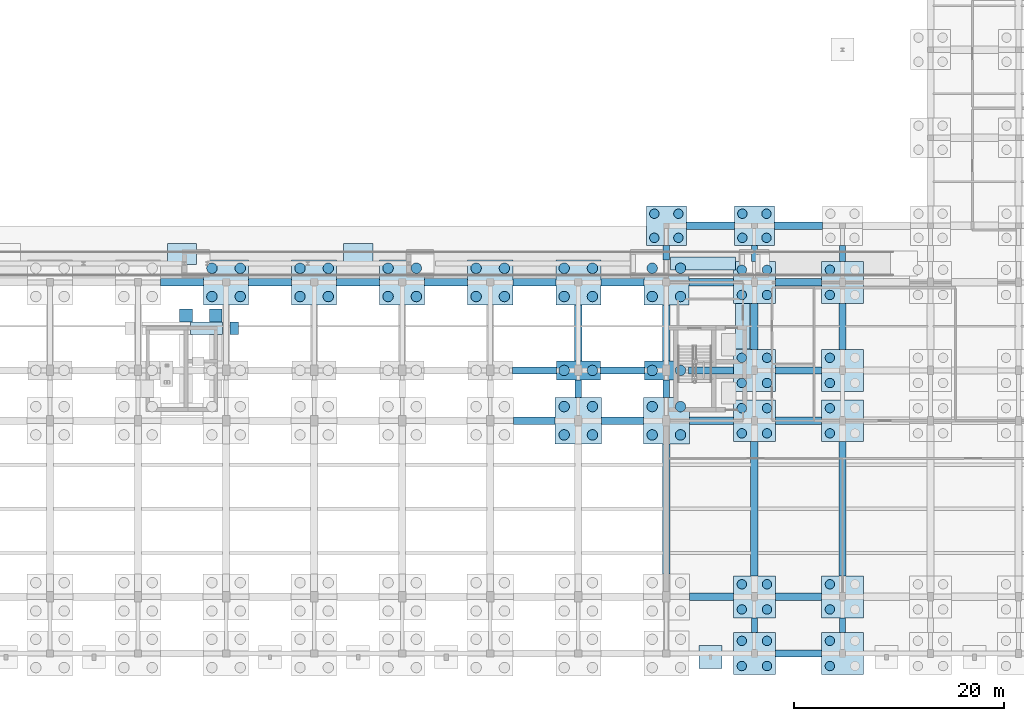
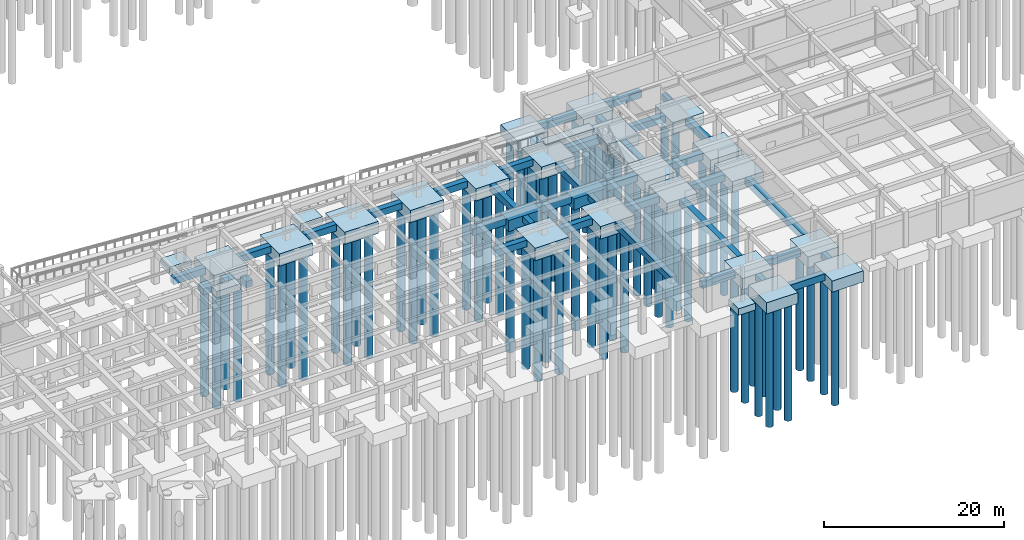
# One storey, part 4 of 49: 74 piles, 66 footings.
"""IFC4 building model written with IfcOpenShell, lengths in metres."""

from ifc_helpers import new_model, si_unit, direction, frame, origin, origin_2d, place, context, subcontext, project, spatial, rectangle, circle, extrude, material, material_profile, profile_set, type_object, element, save


model = new_model("IFC4")

# Units and contexts
model_context = context("Model", 3, precision=1e-05, world=origin(), true_north=direction((0.0, 1.0)))
body_context = subcontext(model_context, "Body", "Model", "MODEL_VIEW")
ifc_project = project(units=[si_unit("LENGTHUNIT", "METRE"), si_unit("AREAUNIT", "SQUARE_METRE"), si_unit("VOLUMEUNIT", "CUBIC_METRE"), si_unit("PLANEANGLEUNIT", "RADIAN"), si_unit("MASSUNIT", "GRAM", prefix="KILO")], contexts=[model_context])

# Site, building, storey
site_placement = place(None, origin())
site = spatial("IfcSite", under=ifc_project, at=site_placement, CompositionType="ELEMENT")
building_placement = place(site_placement, origin())
building = spatial("IfcBuilding", under=site, at=building_placement, Name="Krzemoval Escarpment Law Courts", CompositionType="ELEMENT")
storey_placement = place(building_placement, frame((0.0, 0.0, -4.800048828125)))
storey = spatial("IfcBuildingStorey", under=building, at=storey_placement, Name="B1", CompositionType="ELEMENT", Elevation=-4.800048828125)

# Footings
ifc_material_1 = material(Name="Concrete C35/45", Category="concrete")
footing_type_1 = type_object("IfcFootingType", Name="CAP-2P-4200x1800x1500", PredefinedType="PILE_CAP", material=ifc_material_1)
for number, where, z_axis, x_axis, name in (
    (1, (100.800048828125, 27.0, -1.5), (0.0, 0.0, 1.0), (1.0, 0.0, 0.0), "Pile Cap FC-146"),
    (2, (109.199951171875, 27.0, -1.5), (0.0, 0.0, 1.0), (1.0, 0.0, 0.0), "Pile Cap FC-154"),
):
    element("IfcFooting", number, at=place(storey_placement, frame(where, z_axis=z_axis, x_axis=x_axis)), inside=storey, type_object=footing_type_1, Name=name, PredefinedType="PILE_CAP", context=body_context, shape_type="SweptSolid", body=[
        extrude(rectangle(XDim=4.199951171875, YDim=1.800048828125, at=origin_2d()), origin(), (0.0, 0.0, 1.0), 1.5),
    ])
ifc_material_2 = material(Name="Concrete C35/45", Category="concrete")
footing_type_2 = type_object("IfcFootingType", Name="CAP-4P-3800x3800x1450", PredefinedType="PILE_CAP", material=ifc_material_2)
for number, where, z_axis, x_axis, name in (
    (3, (109.199951171875, 40.800048828125, -1.44970703125), (0.0, 0.0, 1.0), (1.0, 0.0, 0.0), "Pile Cap FC-156"),
    (4, (117.60009765625, 40.800048828125, -1.44970703125), (0.0, 0.0, 1.0), (1.0, 0.0, 0.0), "Pile Cap FC-165"),
):
    element("IfcFooting", number, at=place(storey_placement, frame(where, z_axis=z_axis, x_axis=x_axis)), inside=storey, type_object=footing_type_2, Name=name, PredefinedType="PILE_CAP", context=body_context, shape_type="SweptSolid", body=[
        extrude(rectangle(XDim=3.800048828125, YDim=3.800048828125, at=origin_2d()), origin(), (0.0, 0.0, 1.0), 1.449951171875),
    ])
ifc_material_3 = material(Name="Concrete C35/45", Category="concrete")
footing_type_3 = type_object("IfcFootingType", Name="CAP-4P-4000x4000x1550", PredefinedType="PILE_CAP", material=ifc_material_3)
for number, where, z_axis, x_axis, name in (
    (5, (117.60009765625, 0.0, -1.5), (0.0, 0.0, 1.0), (1.0, 0.0, 0.0), "Pile Cap FC-160"),
    (6, (117.60009765625, 5.39990234375, -1.5), (0.0, 0.0, 1.0), (1.0, 0.0, 0.0), "Pile Cap FC-161"),
    (7, (117.60009765625, 22.199951171875, -1.5), (0.0, 0.0, 1.0), (1.0, 0.0, 0.0), "Pile Cap FC-162"),
    (8, (117.60009765625, 27.0, -1.5), (0.0, 0.0, 1.0), (1.0, 0.0, 0.0), "Pile Cap FC-163"),
    (9, (117.60009765625, 35.39990234375, -1.5), (0.0, 0.0, 1.0), (1.0, 0.0, 0.0), "Pile Cap FC-164"),
    (10, (126.0, 0.0, -1.5), (0.0, 0.0, 1.0), (1.0, 0.0, 0.0), "Pile Cap FC-169"),
    (11, (126.0, 5.39990234375, -1.5), (0.0, 0.0, 1.0), (1.0, 0.0, 0.0), "Pile Cap FC-170"),
    (12, (126.0, 22.199951171875, -1.5), (0.0, 0.0, 1.0), (1.0, 0.0, 0.0), "Pile Cap FC-171"),
    (13, (126.0, 27.0, -1.5), (0.0, 0.0, 1.0), (1.0, 0.0, 0.0), "Pile Cap FC-172"),
    (14, (126.0, 35.39990234375, -1.5), (0.0, 0.0, 1.0), (1.0, 0.0, 0.0), "Pile Cap FC-173"),
):
    element("IfcFooting", number, at=place(storey_placement, frame(where, z_axis=z_axis, x_axis=x_axis)), inside=storey, type_object=footing_type_3, Name=name, PredefinedType="PILE_CAP", context=body_context, shape_type="SweptSolid", body=[
        extrude(rectangle(XDim=4.0, YDim=4.0, at=origin_2d()), origin(), (0.0, 0.0, 1.0), 1.5),
    ])
ifc_material_4 = material(Name="Concrete C35/45", Category="concrete")
footing_type_4 = type_object("IfcFootingType", Name="CAP-4P-4300x4300x1650", PredefinedType="PILE_CAP", material=ifc_material_4)
for number, where, z_axis, x_axis, name in (
    (15, (67.199951171875, 35.39990234375, -1.64990234375), (0.0, 0.0, 1.0), (1.0, 0.0, 0.0), "Pile Cap FC-115"),
    (16, (75.60009765625, 35.39990234375, -1.64990234375), (0.0, 0.0, 1.0), (1.0, 0.0, 0.0), "Pile Cap FC-123"),
    (17, (84.0, 35.39990234375, -1.64990234375), (0.0, 0.0, 1.0), (1.0, 0.0, 0.0), "Pile Cap FC-131"),
    (18, (92.39990234375, 35.39990234375, -1.64990234375), (0.0, 0.0, 1.0), (1.0, 0.0, 0.0), "Pile Cap FC-139"),
    (19, (100.800048828125, 35.39990234375, -1.64990234375), (0.0, 0.0, 1.0), (1.0, 0.0, 0.0), "Pile Cap FC-147"),
    (20, (109.199951171875, 35.39990234375, -1.64990234375), (0.0, 0.0, 1.0), (1.0, 0.0, 0.0), "Pile Cap FC-155"),
):
    element("IfcFooting", number, at=place(storey_placement, frame(where, z_axis=z_axis, x_axis=x_axis)), inside=storey, type_object=footing_type_4, Name=name, PredefinedType="PILE_CAP", context=body_context, shape_type="SweptSolid", body=[
        extrude(rectangle(XDim=4.300048828125, YDim=4.300048828125, at=origin_2d()), origin(), (0.0, 0.0, 1.0), 1.64990234375),
    ])
ifc_material_5 = material(Name="Concrete C35/45", Category="concrete")
footing_type_5 = type_object("IfcFootingType", Name="CAP-4P-4400x4400x1700", PredefinedType="PILE_CAP", material=ifc_material_5)
for number, where, z_axis, x_axis, name in (
    (21, (100.800048828125, 22.199951171875, -1.69970703125), (0.0, 0.0, 1.0), (1.0, 0.0, 0.0), "Pile Cap FC-145"),
    (22, (109.199951171875, 22.199951171875, -1.69970703125), (0.0, 0.0, 1.0), (1.0, 0.0, 0.0), "Pile Cap FC-153"),
):
    element("IfcFooting", number, at=place(storey_placement, frame(where, z_axis=z_axis, x_axis=x_axis)), inside=storey, type_object=footing_type_5, Name=name, PredefinedType="PILE_CAP", context=body_context, shape_type="SweptSolid", body=[
        extrude(rectangle(XDim=4.39990234375, YDim=4.39990234375, at=origin_2d()), origin(), (0.0, 0.0, 1.0), 1.699951171875),
    ])
ifc_material_6 = material(Name="Concrete C35/45", Category="concrete")
footing_type_6 = type_object("IfcFootingType", Name="GB-600x800-L1350", PredefinedType="FOOTING_BEAM", material=ifc_material_6)
footing_1_placement = place(storey_placement, frame((109.199951171875, 38.22509765625, -0.7998046875), z_axis=(0.0, 0.0, 1.0), x_axis=(0.0, 1.0, 0.0)))
element("IfcFooting", 23, at=footing_1_placement, inside=storey, type_object=footing_type_6, Name="Ground Tie Beam GB-338", PredefinedType="FOOTING_BEAM", context=body_context, shape_type="SweptSolid", body=[
    extrude(rectangle(XDim=1.35009765625, YDim=0.60009765625, at=origin_2d()), origin(), (0.0, 0.0, 1.0), 0.800048828125),
])
ifc_material_7 = material(Name="Concrete C35/45", Category="concrete")
footing_type_7 = type_object("IfcFootingType", Name="GB-600x800-L1400", PredefinedType="FOOTING_BEAM", material=ifc_material_7)
for number, where, z_axis, x_axis, name in (
    (24, (117.60009765625, 2.699951171875, -0.7998046875), (0.0, 0.0, 1.0), (0.0, 1.0, 0.0), "Ground Tie Beam GB-341"),
    (25, (126.0, 2.699951171875, -0.7998046875), (0.0, 0.0, 1.0), (0.0, 1.0, 0.0), "Ground Tie Beam GB-347"),
):
    element("IfcFooting", number, at=place(storey_placement, frame(where, z_axis=z_axis, x_axis=x_axis)), inside=storey, type_object=footing_type_7, Name=name, PredefinedType="FOOTING_BEAM", context=body_context, shape_type="SweptSolid", body=[
        extrude(rectangle(XDim=1.39990234375, YDim=0.60009765625, at=origin_2d()), origin(), (0.0, 0.0, 1.0), 0.800048828125),
    ])
ifc_material_8 = material(Name="Concrete C35/45", Category="concrete")
footing_type_8 = type_object("IfcFootingType", Name="GB-600x800-L1500", PredefinedType="FOOTING_BEAM", material=ifc_material_8)
for number, where, z_axis, x_axis, name in (
    (26, (117.60009765625, 38.14990234375, -0.7998046875), (0.0, 0.0, 1.0), (0.0, 1.0, 0.0), "Ground Tie Beam GB-344"),
    (27, (126.0, 38.14990234375, -0.7998046875), (0.0, 0.0, 1.0), (0.0, 1.0, 0.0), "Ground Tie Beam GB-350"),
):
    element("IfcFooting", number, at=place(storey_placement, frame(where, z_axis=z_axis, x_axis=x_axis)), inside=storey, type_object=footing_type_8, Name=name, PredefinedType="FOOTING_BEAM", context=body_context, shape_type="SweptSolid", body=[
        extrude(rectangle(XDim=1.5, YDim=0.60009765625, at=origin_2d()), origin(), (0.0, 0.0, 1.0), 0.800048828125),
    ])
ifc_material_9 = material(Name="Concrete C35/45", Category="concrete")
footing_type_9 = type_object("IfcFootingType", Name="GB-600x800-L1700", PredefinedType="FOOTING_BEAM", material=ifc_material_9)
for number, where, z_axis, x_axis, name in (
    (28, (100.800048828125, 25.25, -0.7998046875), (0.0, 0.0, 1.0), (0.0, 1.0, 0.0), "Ground Tie Beam GB-331"),
    (29, (109.199951171875, 25.25, -0.7998046875), (0.0, 0.0, 1.0), (0.0, 1.0, 0.0), "Ground Tie Beam GB-336"),
):
    element("IfcFooting", number, at=place(storey_placement, frame(where, z_axis=z_axis, x_axis=x_axis)), inside=storey, type_object=footing_type_9, Name=name, PredefinedType="FOOTING_BEAM", context=body_context, shape_type="SweptSolid", body=[
        extrude(rectangle(XDim=1.699951171875, YDim=0.60009765625, at=origin_2d()), origin(), (0.0, 0.0, 1.0), 0.800048828125),
    ])
ifc_material_10 = material(Name="Concrete C35/45", Category="concrete")
footing_type_10 = type_object("IfcFootingType", Name="GB-700x900-L12400", PredefinedType="FOOTING_BEAM", material=ifc_material_10)
footing_2_placement = place(storey_placement, frame((109.199951171875, 13.800048828125, -0.89990234375), z_axis=(0.0, 0.0, 1.0), x_axis=(0.0, 1.0, 0.0)))
element("IfcFooting", 30, at=footing_2_placement, inside=storey, type_object=footing_type_10, Name="Ground Tie Beam GB-335", PredefinedType="FOOTING_BEAM", context=body_context, shape_type="SweptSolid", body=[
    extrude(rectangle(XDim=12.39990234375, YDim=0.699951171875, at=origin_2d()), origin(), (0.0, 0.0, 1.0), 0.89990234375),
])
ifc_material_11 = material(Name="Concrete C35/45", Category="concrete")
footing_type_11 = type_object("IfcFootingType", Name="GB-700x900-L12800", PredefinedType="FOOTING_BEAM", material=ifc_material_11)
for number, where, z_axis, x_axis, name in (
    (31, (117.60009765625, 13.800048828125, -0.89990234375), (0.0, 0.0, 1.0), (0.0, 1.0, 0.0), "Ground Tie Beam GB-342"),
    (32, (126.0, 13.800048828125, -0.89990234375), (0.0, 0.0, 1.0), (0.0, 1.0, 0.0), "Ground Tie Beam GB-348"),
):
    element("IfcFooting", number, at=place(storey_placement, frame(where, z_axis=z_axis, x_axis=x_axis)), inside=storey, type_object=footing_type_11, Name=name, PredefinedType="FOOTING_BEAM", context=body_context, shape_type="SweptSolid", body=[
        extrude(rectangle(XDim=12.800048828125, YDim=0.699951171875, at=origin_2d()), origin(), (0.0, 0.0, 1.0), 0.89990234375),
    ])
ifc_material_12 = material(Name="Concrete C35/45", Category="concrete")
footing_type_12 = type_object("IfcFootingType", Name="GB-700x900-L4000", PredefinedType="FOOTING_BEAM", material=ifc_material_12)
for number, where, z_axis, x_axis, name in (
    (33, (96.60009765625, 22.199951171875, -0.89990234375), (0.0, 0.0, 1.0), (1.0, 0.0, 0.0), "Ground Tie Beam GB-036"),
    (34, (105.0, 22.199951171875, -0.89990234375), (0.0, 0.0, 1.0), (1.0, 0.0, 0.0), "Ground Tie Beam GB-037"),
):
    element("IfcFooting", number, at=place(storey_placement, frame(where, z_axis=z_axis, x_axis=x_axis)), inside=storey, type_object=footing_type_12, Name=name, PredefinedType="FOOTING_BEAM", context=body_context, shape_type="SweptSolid", body=[
        extrude(rectangle(XDim=4.0, YDim=0.699951171875, at=origin_2d()), origin(), (0.0, 0.0, 1.0), 0.89990234375),
    ])
ifc_material_13 = material(Name="Concrete C35/45", Category="concrete")
footing_type_13 = type_object("IfcFootingType", Name="GB-700x900-L4100", PredefinedType="FOOTING_BEAM", material=ifc_material_13)
for number, where, z_axis, x_axis, name in (
    (35, (63.0, 35.39990234375, -0.89990234375), (0.0, 0.0, 1.0), (1.0, 0.0, 0.0), "Ground Tie Beam GB-068"),
    (36, (71.39990234375, 35.39990234375, -0.89990234375), (0.0, 0.0, 1.0), (1.0, 0.0, 0.0), "Ground Tie Beam GB-069"),
    (37, (79.800048828125, 35.39990234375, -0.89990234375), (0.0, 0.0, 1.0), (1.0, 0.0, 0.0), "Ground Tie Beam GB-070"),
    (38, (88.199951171875, 35.39990234375, -0.89990234375), (0.0, 0.0, 1.0), (1.0, 0.0, 0.0), "Ground Tie Beam GB-071"),
    (39, (96.60009765625, 35.39990234375, -0.89990234375), (0.0, 0.0, 1.0), (1.0, 0.0, 0.0), "Ground Tie Beam GB-072"),
    (40, (105.0, 35.39990234375, -0.89990234375), (0.0, 0.0, 1.0), (1.0, 0.0, 0.0), "Ground Tie Beam GB-073"),
):
    element("IfcFooting", number, at=place(storey_placement, frame(where, z_axis=z_axis, x_axis=x_axis)), inside=storey, type_object=footing_type_13, Name=name, PredefinedType="FOOTING_BEAM", context=body_context, shape_type="SweptSolid", body=[
        extrude(rectangle(XDim=4.10009765625, YDim=0.699951171875, at=origin_2d()), origin(), (0.0, 0.0, 1.0), 0.89990234375),
    ])
ifc_material_14 = material(Name="Concrete C35/45", Category="concrete")
footing_type_14 = type_object("IfcFootingType", Name="GB-700x900-L4200", PredefinedType="FOOTING_BEAM", material=ifc_material_14)
for number, where, z_axis, x_axis, name in (
    (41, (113.5, 5.39990234375, -0.89990234375), (0.0, 0.0, 1.0), (1.0, 0.0, 0.0), "Ground Tie Beam GB-020"),
    (42, (113.5, 22.199951171875, -0.89990234375), (0.0, 0.0, 1.0), (1.0, 0.0, 0.0), "Ground Tie Beam GB-038"),
    (43, (96.60009765625, 27.0, -0.89990234375), (0.0, 0.0, 1.0), (1.0, 0.0, 0.0), "Ground Tie Beam GB-054"),
    (44, (105.0, 27.0, -0.89990234375), (0.0, 0.0, 1.0), (1.0, 0.0, 0.0), "Ground Tie Beam GB-055"),
):
    element("IfcFooting", number, at=place(storey_placement, frame(where, z_axis=z_axis, x_axis=x_axis)), inside=storey, type_object=footing_type_14, Name=name, PredefinedType="FOOTING_BEAM", context=body_context, shape_type="SweptSolid", body=[
        extrude(rectangle(XDim=4.199951171875, YDim=0.699951171875, at=origin_2d()), origin(), (0.0, 0.0, 1.0), 0.89990234375),
    ])
ifc_material_15 = material(Name="Concrete C35/45", Category="concrete")
footing_type_15 = type_object("IfcFootingType", Name="GB-700x900-L4250", PredefinedType="FOOTING_BEAM", material=ifc_material_15)
footing_3_placement = place(storey_placement, frame((113.47509765625, 35.39990234375, -0.89990234375), z_axis=(0.0, 0.0, 1.0), x_axis=(1.0, 0.0, 0.0)))
element("IfcFooting", 45, at=footing_3_placement, inside=storey, type_object=footing_type_15, Name="Ground Tie Beam GB-074", PredefinedType="FOOTING_BEAM", context=body_context, shape_type="SweptSolid", body=[
    extrude(rectangle(XDim=4.25, YDim=0.699951171875, at=origin_2d()), origin(), (0.0, 0.0, 1.0), 0.89990234375),
])
ifc_material_16 = material(Name="Concrete C35/45", Category="concrete")
footing_type_16 = type_object("IfcFootingType", Name="GB-700x900-L4300", PredefinedType="FOOTING_BEAM", material=ifc_material_16)
footing_4_placement = place(storey_placement, frame((113.449951171875, 27.0, -0.89990234375), z_axis=(0.0, 0.0, 1.0), x_axis=(1.0, 0.0, 0.0)))
element("IfcFooting", 46, at=footing_4_placement, inside=storey, type_object=footing_type_16, Name="Ground Tie Beam GB-056", PredefinedType="FOOTING_BEAM", context=body_context, shape_type="SweptSolid", body=[
    extrude(rectangle(XDim=4.300048828125, YDim=0.699951171875, at=origin_2d()), origin(), (0.0, 0.0, 1.0), 0.89990234375),
])
ifc_material_17 = material(Name="Concrete C35/45", Category="concrete")
footing_type_17 = type_object("IfcFootingType", Name="GB-700x900-L4400", PredefinedType="FOOTING_BEAM", material=ifc_material_17)
for number, where, z_axis, x_axis, name in (
    (47, (121.800048828125, 0.0, -0.89990234375), (0.0, 0.0, 1.0), (1.0, 0.0, 0.0), "Ground Tie Beam GB-005"),
    (48, (121.800048828125, 5.39990234375, -0.89990234375), (0.0, 0.0, 1.0), (1.0, 0.0, 0.0), "Ground Tie Beam GB-021"),
    (49, (121.800048828125, 22.199951171875, -0.89990234375), (0.0, 0.0, 1.0), (1.0, 0.0, 0.0), "Ground Tie Beam GB-039"),
    (50, (121.800048828125, 27.0, -0.89990234375), (0.0, 0.0, 1.0), (1.0, 0.0, 0.0), "Ground Tie Beam GB-057"),
    (51, (121.800048828125, 35.39990234375, -0.89990234375), (0.0, 0.0, 1.0), (1.0, 0.0, 0.0), "Ground Tie Beam GB-075"),
    (52, (117.60009765625, 31.199951171875, -0.89990234375), (0.0, 0.0, 1.0), (0.0, 1.0, 0.0), "Ground Tie Beam GB-343"),
    (53, (126.0, 31.199951171875, -0.89990234375), (0.0, 0.0, 1.0), (0.0, 1.0, 0.0), "Ground Tie Beam GB-349"),
):
    element("IfcFooting", number, at=place(storey_placement, frame(where, z_axis=z_axis, x_axis=x_axis)), inside=storey, type_object=footing_type_17, Name=name, PredefinedType="FOOTING_BEAM", context=body_context, shape_type="SweptSolid", body=[
        extrude(rectangle(XDim=4.39990234375, YDim=0.699951171875, at=origin_2d()), origin(), (0.0, 0.0, 1.0), 0.89990234375),
    ])
ifc_material_18 = material(Name="Concrete C35/45", Category="concrete")
footing_type_18 = type_object("IfcFootingType", Name="GB-700x900-L4600", PredefinedType="FOOTING_BEAM", material=ifc_material_18)
for number, where, z_axis, x_axis, name in (
    (54, (113.39990234375, 40.800048828125, -0.89990234375), (0.0, 0.0, 1.0), (1.0, 0.0, 0.0), "Ground Tie Beam GB-083"),
    (55, (121.800048828125, 40.800048828125, -0.89990234375), (0.0, 0.0, 1.0), (1.0, 0.0, 0.0), "Ground Tie Beam GB-084"),
):
    element("IfcFooting", number, at=place(storey_placement, frame(where, z_axis=z_axis, x_axis=x_axis)), inside=storey, type_object=footing_type_18, Name=name, PredefinedType="FOOTING_BEAM", context=body_context, shape_type="SweptSolid", body=[
        extrude(rectangle(XDim=4.60009765625, YDim=0.699951171875, at=origin_2d()), origin(), (0.0, 0.0, 1.0), 0.89990234375),
    ])
ifc_material_19 = material(Name="Concrete C35/45", Category="concrete")
footing_type_19 = type_object("IfcFootingType", Name="GB-700x900-L5350", PredefinedType="FOOTING_BEAM", material=ifc_material_19)
for number, where, z_axis, x_axis, name in (
    (56, (100.800048828125, 30.574951171875, -0.89990234375), (0.0, 0.0, 1.0), (0.0, 1.0, 0.0), "Ground Tie Beam GB-332"),
    (57, (109.199951171875, 30.574951171875, -0.89990234375), (0.0, 0.0, 1.0), (0.0, 1.0, 0.0), "Ground Tie Beam GB-337"),
):
    element("IfcFooting", number, at=place(storey_placement, frame(where, z_axis=z_axis, x_axis=x_axis)), inside=storey, type_object=footing_type_19, Name=name, PredefinedType="FOOTING_BEAM", context=body_context, shape_type="SweptSolid", body=[
        extrude(rectangle(XDim=5.35009765625, YDim=0.699951171875, at=origin_2d()), origin(), (0.0, 0.0, 1.0), 0.89990234375),
    ])
ifc_material_20 = material(Name="Concrete C35/45", Category="concrete")
footing_type_20 = type_object("IfcFootingType", Name="PAD-2200x2200x900", PredefinedType="PAD_FOOTING", material=ifc_material_20)
footing_5_placement = place(storey_placement, frame((113.39990234375, -0.35009765625, -0.89990234375), z_axis=(0.0, 0.0, 1.0), x_axis=(1.0, 0.0, 0.0)))
element("IfcFooting", 58, at=footing_5_placement, inside=storey, type_object=footing_type_20, Name="Pad Footing PF-017", PredefinedType="PAD_FOOTING", context=body_context, shape_type="SweptSolid", body=[
    extrude(rectangle(XDim=2.199951171875, YDim=2.199951171875, at=origin_2d()), origin(), (0.0, 0.0, 1.0), 0.89990234375),
])
ifc_material_21 = material(Name="Concrete C35/45", Category="concrete")
footing_type_21 = type_object("IfcFootingType", Name="PAD-2800x2000x950", PredefinedType="PAD_FOOTING", material=ifc_material_21)
for number, where, z_axis, x_axis, name in (
    (59, (63.0, 38.10009765625, -0.94970703125), (0.0, 0.0, 1.0), (1.0, 0.0, 0.0), "Pad Footing PF-006"),
    (60, (79.800048828125, 38.10009765625, -0.94970703125), (0.0, 0.0, 1.0), (1.0, 0.0, 0.0), "Pad Footing PF-007"),
):
    element("IfcFooting", number, at=place(storey_placement, frame(where, z_axis=z_axis, x_axis=x_axis)), inside=storey, type_object=footing_type_21, Name=name, PredefinedType="PAD_FOOTING", context=body_context, shape_type="SweptSolid", body=[
        extrude(rectangle(XDim=2.800048828125, YDim=2.0, at=origin_2d()), origin(), (0.0, 0.0, 1.0), 0.949951171875),
    ])

# Piles
ifc_material_22 = material(Name="Concrete C35/45", Category="concrete")
ifc_material_profile_1 = material_profile(ifc_material_22, circle(Radius=0.5, at=origin_2d()), Name="PILE D1000")
ifc_profile_set_1 = profile_set([ifc_material_profile_1], Name="Concrete C35/45")
pile_type_1 = type_object("IfcPileType", Name="PILE-D1000-17M", PredefinedType="BORED", material=ifc_profile_set_1)
for number, where, z_axis, x_axis, name in (
    (61, (65.85009765625, 34.050048828125, -1.5), (0.0, 0.0, -1.0), (1.0, 0.0, 0.0), "Bored Pile FP-0409"),
    (62, (68.550048828125, 34.050048828125, -1.5), (0.0, 0.0, -1.0), (1.0, 0.0, 0.0), "Bored Pile FP-0410"),
    (63, (65.85009765625, 36.75, -1.5), (0.0, 0.0, -1.0), (1.0, 0.0, 0.0), "Bored Pile FP-0411"),
    (64, (68.550048828125, 36.75, -1.5), (0.0, 0.0, -1.0), (1.0, 0.0, 0.0), "Bored Pile FP-0412"),
    (65, (74.25, 34.050048828125, -1.5), (0.0, 0.0, -1.0), (1.0, 0.0, 0.0), "Bored Pile FP-0439"),
    (66, (76.949951171875, 34.050048828125, -1.5), (0.0, 0.0, -1.0), (1.0, 0.0, 0.0), "Bored Pile FP-0440"),
    (67, (74.25, 36.75, -1.5), (0.0, 0.0, -1.0), (1.0, 0.0, 0.0), "Bored Pile FP-0441"),
    (68, (76.949951171875, 36.75, -1.5), (0.0, 0.0, -1.0), (1.0, 0.0, 0.0), "Bored Pile FP-0442"),
    (69, (82.64990234375, 34.050048828125, -1.5), (0.0, 0.0, -1.0), (1.0, 0.0, 0.0), "Bored Pile FP-0469"),
    (70, (85.35009765625, 34.050048828125, -1.5), (0.0, 0.0, -1.0), (1.0, 0.0, 0.0), "Bored Pile FP-0470"),
    (71, (82.64990234375, 36.75, -1.5), (0.0, 0.0, -1.0), (1.0, 0.0, 0.0), "Bored Pile FP-0471"),
    (72, (85.35009765625, 36.75, -1.5), (0.0, 0.0, -1.0), (1.0, 0.0, 0.0), "Bored Pile FP-0472"),
    (73, (91.050048828125, 34.050048828125, -1.5), (0.0, 0.0, -1.0), (1.0, 0.0, 0.0), "Bored Pile FP-0499"),
    (74, (93.75, 34.050048828125, -1.5), (0.0, 0.0, -1.0), (1.0, 0.0, 0.0), "Bored Pile FP-0500"),
    (75, (91.050048828125, 36.75, -1.5), (0.0, 0.0, -1.0), (1.0, 0.0, 0.0), "Bored Pile FP-0501"),
    (76, (93.75, 36.75, -1.5), (0.0, 0.0, -1.0), (1.0, 0.0, 0.0), "Bored Pile FP-0502"),
    (77, (99.449951171875, 20.85009765625, -1.550048828125), (0.0, 0.0, -1.0), (1.0, 0.0, 0.0), "Bored Pile FP-0523"),
    (78, (102.14990234375, 20.85009765625, -1.550048828125), (0.0, 0.0, -1.0), (1.0, 0.0, 0.0), "Bored Pile FP-0524"),
    (79, (99.449951171875, 23.550048828125, -1.550048828125), (0.0, 0.0, -1.0), (1.0, 0.0, 0.0), "Bored Pile FP-0525"),
    (80, (102.14990234375, 23.550048828125, -1.550048828125), (0.0, 0.0, -1.0), (1.0, 0.0, 0.0), "Bored Pile FP-0526"),
    (81, (99.449951171875, 27.0, -1.349853515625), (0.0, 0.0, -1.0), (1.0, 0.0, 0.0), "Bored Pile FP-0527"),
    (82, (102.14990234375, 27.0, -1.349853515625), (0.0, 0.0, -1.0), (1.0, 0.0, 0.0), "Bored Pile FP-0528"),
    (83, (99.449951171875, 34.050048828125, -1.5), (0.0, 0.0, -1.0), (1.0, 0.0, 0.0), "Bored Pile FP-0529"),
    (84, (102.14990234375, 34.050048828125, -1.5), (0.0, 0.0, -1.0), (1.0, 0.0, 0.0), "Bored Pile FP-0530"),
    (85, (99.449951171875, 36.75, -1.5), (0.0, 0.0, -1.0), (1.0, 0.0, 0.0), "Bored Pile FP-0531"),
    (86, (102.14990234375, 36.75, -1.5), (0.0, 0.0, -1.0), (1.0, 0.0, 0.0), "Bored Pile FP-0532"),
    (87, (107.85009765625, 20.85009765625, -1.550048828125), (0.0, 0.0, -1.0), (1.0, 0.0, 0.0), "Bored Pile FP-0553"),
    (88, (110.550048828125, 20.85009765625, -1.550048828125), (0.0, 0.0, -1.0), (1.0, 0.0, 0.0), "Bored Pile FP-0554"),
    (89, (107.85009765625, 23.550048828125, -1.550048828125), (0.0, 0.0, -1.0), (1.0, 0.0, 0.0), "Bored Pile FP-0555"),
    (90, (110.550048828125, 23.550048828125, -1.550048828125), (0.0, 0.0, -1.0), (1.0, 0.0, 0.0), "Bored Pile FP-0556"),
    (91, (107.85009765625, 27.0, -1.349853515625), (0.0, 0.0, -1.0), (1.0, 0.0, 0.0), "Bored Pile FP-0557"),
    (92, (110.550048828125, 27.0, -1.349853515625), (0.0, 0.0, -1.0), (1.0, 0.0, 0.0), "Bored Pile FP-0558"),
    (93, (107.85009765625, 34.050048828125, -1.5), (0.0, 0.0, -1.0), (1.0, 0.0, 0.0), "Bored Pile FP-0559"),
    (94, (110.550048828125, 34.050048828125, -1.5), (0.0, 0.0, -1.0), (1.0, 0.0, 0.0), "Bored Pile FP-0560"),
    (95, (107.85009765625, 36.75, -1.5), (0.0, 0.0, -1.0), (1.0, 0.0, 0.0), "Bored Pile FP-0561"),
    (96, (110.550048828125, 36.75, -1.5), (0.0, 0.0, -1.0), (1.0, 0.0, 0.0), "Bored Pile FP-0562"),
):
    element("IfcPile", number, at=place(storey_placement, frame(where, z_axis=z_axis, x_axis=x_axis)), inside=storey, type_object=pile_type_1, Name=name, PredefinedType="BORED", context=body_context, shape_type="SweptSolid", body=[
        extrude(circle(Radius=0.5, at=origin_2d()), origin(), (0.0, 0.0, 1.0), 17.0),
    ])
ifc_material_23 = material(Name="Concrete C35/45", Category="concrete")
ifc_material_profile_2 = material_profile(ifc_material_23, circle(Radius=0.449951171875, at=origin_2d()), Name="PILE D900")
ifc_profile_set_2 = profile_set([ifc_material_profile_2], Name="Concrete C35/45")
pile_type_2 = type_object("IfcPileType", Name="PILE-D750-14M", PredefinedType="BORED", material=ifc_profile_set_2)
for number, where, z_axis, x_axis, name in (
    (97, (108.050048828125, 39.64990234375, -1.300048828125), (0.0, 0.0, -1.0), (1.0, 0.0, 0.0), "Bored Pile FP-0563"),
    (98, (110.35009765625, 39.64990234375, -1.300048828125), (0.0, 0.0, -1.0), (1.0, 0.0, 0.0), "Bored Pile FP-0564"),
    (99, (108.050048828125, 41.949951171875, -1.300048828125), (0.0, 0.0, -1.0), (1.0, 0.0, 0.0), "Bored Pile FP-0565"),
    (100, (110.35009765625, 41.949951171875, -1.300048828125), (0.0, 0.0, -1.0), (1.0, 0.0, 0.0), "Bored Pile FP-0566"),
    (101, (116.449951171875, 39.64990234375, -1.300048828125), (0.0, 0.0, -1.0), (1.0, 0.0, 0.0), "Bored Pile FP-0599"),
    (102, (118.75, 39.64990234375, -1.300048828125), (0.0, 0.0, -1.0), (1.0, 0.0, 0.0), "Bored Pile FP-0600"),
    (103, (116.449951171875, 41.949951171875, -1.300048828125), (0.0, 0.0, -1.0), (1.0, 0.0, 0.0), "Bored Pile FP-0601"),
    (104, (118.75, 41.949951171875, -1.300048828125), (0.0, 0.0, -1.0), (1.0, 0.0, 0.0), "Bored Pile FP-0602"),
):
    element("IfcPile", number, at=place(storey_placement, frame(where, z_axis=z_axis, x_axis=x_axis)), inside=storey, type_object=pile_type_2, Name=name, PredefinedType="BORED", context=body_context, shape_type="SweptSolid", body=[
        extrude(circle(Radius=0.449951171875, at=origin_2d()), origin(), (0.0, 0.0, 1.0), 14.5),
    ])
ifc_material_24 = material(Name="Concrete C35/45", Category="concrete")
ifc_material_profile_3 = material_profile(ifc_material_24, circle(Radius=0.449951171875, at=origin_2d()), Name="PILE D900")
ifc_profile_set_3 = profile_set([ifc_material_profile_3], Name="Concrete C35/45")
pile_type_3 = type_object("IfcPileType", Name="PILE-D900-16M", PredefinedType="BORED", material=ifc_profile_set_3)
for number, where, z_axis, x_axis, name in (
    (105, (116.39990234375, -1.199951171875, -1.349853515625), (0.0, 0.0, -1.0), (1.0, 0.0, 0.0), "Bored Pile FP-0579"),
    (106, (118.800048828125, -1.199951171875, -1.349853515625), (0.0, 0.0, -1.0), (1.0, 0.0, 0.0), "Bored Pile FP-0580"),
    (107, (116.39990234375, 1.199951171875, -1.349853515625), (0.0, 0.0, -1.0), (1.0, 0.0, 0.0), "Bored Pile FP-0581"),
    (108, (118.800048828125, 1.199951171875, -1.349853515625), (0.0, 0.0, -1.0), (1.0, 0.0, 0.0), "Bored Pile FP-0582"),
    (109, (116.39990234375, 4.199951171875, -1.349853515625), (0.0, 0.0, -1.0), (1.0, 0.0, 0.0), "Bored Pile FP-0583"),
    (110, (118.800048828125, 4.199951171875, -1.349853515625), (0.0, 0.0, -1.0), (1.0, 0.0, 0.0), "Bored Pile FP-0584"),
    (111, (116.39990234375, 6.60009765625, -1.349853515625), (0.0, 0.0, -1.0), (1.0, 0.0, 0.0), "Bored Pile FP-0585"),
    (112, (118.800048828125, 6.60009765625, -1.349853515625), (0.0, 0.0, -1.0), (1.0, 0.0, 0.0), "Bored Pile FP-0586"),
    (113, (116.39990234375, 21.0, -1.349853515625), (0.0, 0.0, -1.0), (1.0, 0.0, 0.0), "Bored Pile FP-0587"),
    (114, (118.800048828125, 21.0, -1.349853515625), (0.0, 0.0, -1.0), (1.0, 0.0, 0.0), "Bored Pile FP-0588"),
    (115, (116.39990234375, 23.39990234375, -1.349853515625), (0.0, 0.0, -1.0), (1.0, 0.0, 0.0), "Bored Pile FP-0589"),
    (116, (118.800048828125, 23.39990234375, -1.349853515625), (0.0, 0.0, -1.0), (1.0, 0.0, 0.0), "Bored Pile FP-0590"),
    (117, (116.39990234375, 25.800048828125, -1.349853515625), (0.0, 0.0, -1.0), (1.0, 0.0, 0.0), "Bored Pile FP-0591"),
    (118, (118.800048828125, 25.800048828125, -1.349853515625), (0.0, 0.0, -1.0), (1.0, 0.0, 0.0), "Bored Pile FP-0592"),
    (119, (116.39990234375, 28.199951171875, -1.349853515625), (0.0, 0.0, -1.0), (1.0, 0.0, 0.0), "Bored Pile FP-0593"),
    (120, (118.800048828125, 28.199951171875, -1.349853515625), (0.0, 0.0, -1.0), (1.0, 0.0, 0.0), "Bored Pile FP-0594"),
    (121, (116.39990234375, 34.199951171875, -1.349853515625), (0.0, 0.0, -1.0), (1.0, 0.0, 0.0), "Bored Pile FP-0595"),
    (122, (118.800048828125, 34.199951171875, -1.349853515625), (0.0, 0.0, -1.0), (1.0, 0.0, 0.0), "Bored Pile FP-0596"),
    (123, (116.39990234375, 36.60009765625, -1.349853515625), (0.0, 0.0, -1.0), (1.0, 0.0, 0.0), "Bored Pile FP-0597"),
    (124, (118.800048828125, 36.60009765625, -1.349853515625), (0.0, 0.0, -1.0), (1.0, 0.0, 0.0), "Bored Pile FP-0598"),
    (125, (124.800048828125, -1.199951171875, -1.349853515625), (0.0, 0.0, -1.0), (1.0, 0.0, 0.0), "Bored Pile FP-0615"),
    (126, (124.800048828125, 1.199951171875, -1.349853515625), (0.0, 0.0, -1.0), (1.0, 0.0, 0.0), "Bored Pile FP-0617"),
    (127, (124.800048828125, 4.199951171875, -1.349853515625), (0.0, 0.0, -1.0), (1.0, 0.0, 0.0), "Bored Pile FP-0619"),
    (128, (124.800048828125, 6.60009765625, -1.349853515625), (0.0, 0.0, -1.0), (1.0, 0.0, 0.0), "Bored Pile FP-0621"),
    (129, (124.800048828125, 21.0, -1.349853515625), (0.0, 0.0, -1.0), (1.0, 0.0, 0.0), "Bored Pile FP-0623"),
    (130, (124.800048828125, 23.39990234375, -1.349853515625), (0.0, 0.0, -1.0), (1.0, 0.0, 0.0), "Bored Pile FP-0625"),
    (131, (124.800048828125, 25.800048828125, -1.349853515625), (0.0, 0.0, -1.0), (1.0, 0.0, 0.0), "Bored Pile FP-0627"),
    (132, (124.800048828125, 28.199951171875, -1.349853515625), (0.0, 0.0, -1.0), (1.0, 0.0, 0.0), "Bored Pile FP-0629"),
    (133, (124.800048828125, 34.199951171875, -1.349853515625), (0.0, 0.0, -1.0), (1.0, 0.0, 0.0), "Bored Pile FP-0631"),
    (134, (124.800048828125, 36.60009765625, -1.349853515625), (0.0, 0.0, -1.0), (1.0, 0.0, 0.0), "Bored Pile FP-0633"),
):
    element("IfcPile", number, at=place(storey_placement, frame(where, z_axis=z_axis, x_axis=x_axis)), inside=storey, type_object=pile_type_3, Name=name, PredefinedType="BORED", context=body_context, shape_type="SweptSolid", body=[
        extrude(circle(Radius=0.449951171875, at=origin_2d()), origin(), (0.0, 0.0, 1.0), 16.0),
    ])

# Footings
ifc_material_25 = material(Name="Concrete C35/45", Category="concrete")
footing_type_22 = type_object("IfcFootingType", Name="SF-1200x850-L1218", PredefinedType="STRIP_FOOTING", material=ifc_material_25)
for number, where, z_axis, x_axis, name in (
    (135, (63.375, 32.239013671875, -0.85009765625), (0.0, 0.0, 1.0), (0.0, 1.0, 0.0), "Wall Strip Footing SF-010"),
    (136, (66.22509765625, 32.239013671875, -0.85009765625), (0.0, 0.0, 1.0), (0.0, 1.0, 0.0), "Wall Strip Footing SF-015"),
):
    element("IfcFooting", number, at=place(storey_placement, frame(where, z_axis=z_axis, x_axis=x_axis)), inside=storey, type_object=footing_type_22, Name=name, PredefinedType="STRIP_FOOTING", context=body_context, shape_type="SweptSolid", body=[
        extrude(rectangle(XDim=1.218017578125, YDim=1.199951171875, at=origin_2d()), origin(), (0.0, 0.0, 1.0), 0.85009765625),
    ])
ifc_material_26 = material(Name="Concrete C35/45", Category="concrete")
footing_type_23 = type_object("IfcFootingType", Name="SF-1200x850-L3041", PredefinedType="STRIP_FOOTING", material=ifc_material_26)
footing_6_placement = place(storey_placement, frame((65.324951171875, 31.02490234375, -0.85009765625), z_axis=(0.0, 0.0, 1.0), x_axis=(1.0, 0.0, 0.0)))
element("IfcFooting", 137, at=footing_6_placement, inside=storey, type_object=footing_type_23, Name="Wall Strip Footing SF-012", PredefinedType="STRIP_FOOTING", context=body_context, shape_type="SweptSolid", body=[
    extrude(rectangle(XDim=3.041015625, YDim=1.199951171875, at=origin_2d()), origin(), (0.0, 0.0, 1.0), 0.85009765625),
])
ifc_material_27 = material(Name="Concrete C35/45", Category="concrete")
footing_type_24 = type_object("IfcFootingType", Name="SF-1200x850-L6200", PredefinedType="STRIP_FOOTING", material=ifc_material_27)
footing_7_placement = place(storey_placement, frame((112.699951171875, 37.199951171875, -0.68994140625), z_axis=(0.0, 0.0, 1.0), x_axis=(1.0, 0.0, 0.0)))
element("IfcFooting", 138, at=footing_7_placement, inside=storey, type_object=footing_type_24, Name="Ramp Lower Spine Footing SF-RMP-SP4", PredefinedType="STRIP_FOOTING", context=body_context, shape_type="SweptSolid", body=[
    extrude(rectangle(XDim=6.199951171875, YDim=1.199951171875, at=origin_2d()), origin(), (0.0, 0.0, 1.0), 0.85009765625),
])
ifc_material_28 = material(Name="Concrete C35/45", Category="concrete")
footing_type_25 = type_object("IfcFootingType", Name="SF-1400x900-L4340", PredefinedType="STRIP_FOOTING", material=ifc_material_28)
footing_8_placement = place(storey_placement, frame((116.5, 31.199951171875, -0.89990234375), z_axis=(0.0, 0.0, 1.0), x_axis=(0.0, 1.0, 0.0)))
element("IfcFooting", 139, at=footing_8_placement, inside=storey, type_object=footing_type_25, Name="Core Strip Footing SF-001", PredefinedType="STRIP_FOOTING", context=body_context, shape_type="SweptSolid", body=[
    extrude(rectangle(XDim=4.340087890625, YDim=1.39990234375, at=origin_2d()), origin(), (0.0, 0.0, 1.0), 0.89990234375),
])
ifc_material_29 = material(Name="Concrete C35/45", Category="concrete")
footing_type_26 = type_object("IfcFootingType", Name="SF-845x850-L1200", PredefinedType="STRIP_FOOTING", material=ifc_material_29)
footing_9_placement = place(storey_placement, frame((67.97705078125, 31.02490234375, -0.85009765625), z_axis=(0.0, 0.0, 1.0), x_axis=(0.0, 1.0, 0.0)))
element("IfcFooting", 140, at=footing_9_placement, inside=storey, type_object=footing_type_26, Name="Wall Strip Footing SF-013", PredefinedType="STRIP_FOOTING", context=body_context, shape_type="SweptSolid", body=[
    extrude(rectangle(XDim=1.199951171875, YDim=0.844970703125, at=origin_2d()), origin(), (0.0, 0.0, 1.0), 0.85009765625),
])

save(model, "model.ifc")
